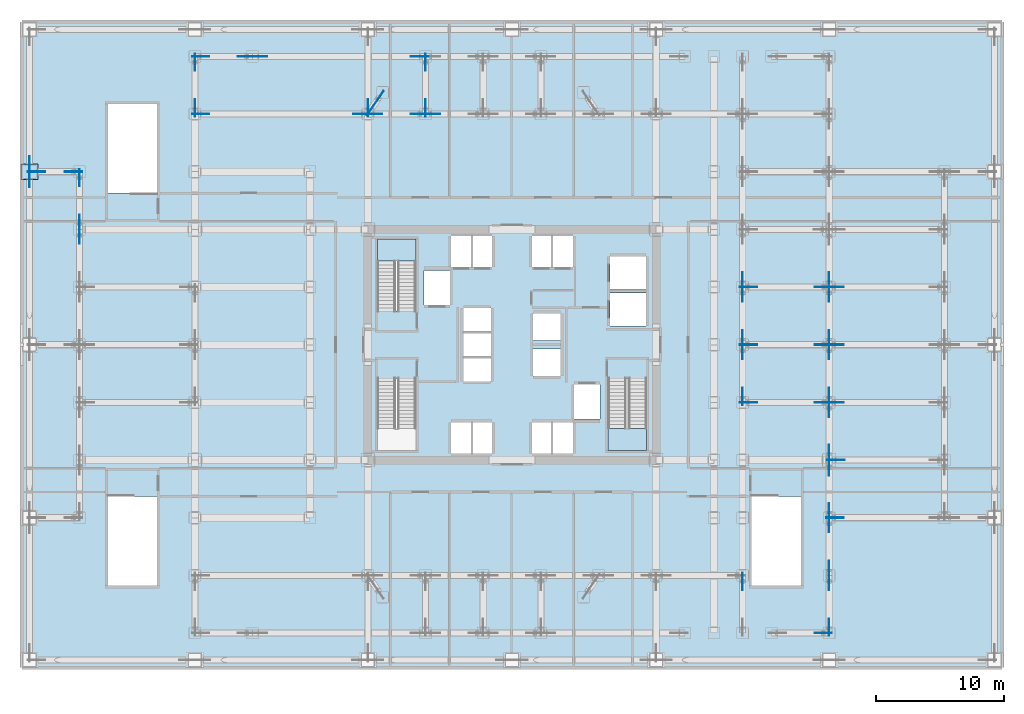
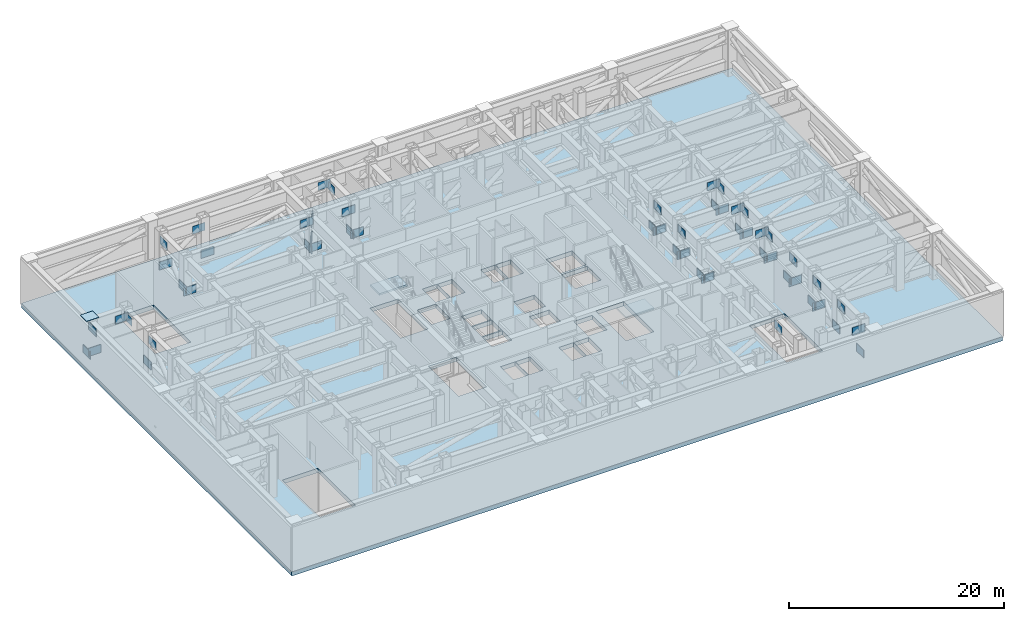
# One storey, part 7 of 17: 55 plates, 3 slabs, 2 elements without a shape of their own.
"""IFC4 building model written with IfcOpenShell, lengths in metres."""

from ifc_helpers import new_model, si_unit, direction, frame, origin, origin_2d, place, context, subcontext, project, spatial, polyline, rectangle, outline, extrude, source, transform, mapped, material, layer, layer_set, type_object, element, aggregate, save


model = new_model("IFC4")

# Units and contexts
model_context = context("Model", 3, precision=1e-05, world=origin(), true_north=direction((0.0, 1.0)))
body_context = subcontext(model_context, "Body", "Model", "MODEL_VIEW")
ifc_project = project(units=[si_unit("LENGTHUNIT", "METRE"), si_unit("AREAUNIT", "SQUARE_METRE"), si_unit("VOLUMEUNIT", "CUBIC_METRE"), si_unit("PLANEANGLEUNIT", "RADIAN"), si_unit("MASSUNIT", "GRAM", prefix="KILO")], contexts=[model_context])

# Site, building, storey
site_placement = place(None, origin())
site = spatial("IfcSite", under=ifc_project, at=site_placement, CompositionType="ELEMENT")
building_placement = place(site_placement, origin())
building = spatial("IfcBuilding", under=site, at=building_placement, Name="Nefas-Gora Pilgrimage Tower", CompositionType="ELEMENT")
storey_placement = place(building_placement, frame((0.0, 0.0, 27.60009765625)))
storey = spatial("IfcBuildingStorey", under=building, at=storey_placement, Name="L05", CompositionType="ELEMENT", Elevation=27.60009765625)

# Slab
ifc_material_1 = material(Name="Concrete C50/60", Category="concrete")
ifc_layer_1 = layer(ifc_material_1, 0.85009765625)
ifc_layer_set_1 = layer_set([ifc_layer_1], Name="Concrete C50/60")
slab_type_1 = type_object("IfcSlabType", Name="SLB-TRF-850", PredefinedType="FLOOR", material=ifc_layer_set_1)
slab_1_placement = place(storey_placement, frame((0.0, 0.0, -0.47998046875)))
element("IfcSlab", 1, at=slab_1_placement, inside=storey, type_object=slab_type_1, Name="L05 Structural Floor Slab", PredefinedType="FLOOR", context=body_context, shape_type="SweptSolid", body=[
    extrude(outline(polyline([(38.25, -25.199951171875), (38.25, 25.199951171875), (-38.25, 25.199951171875), (-38.25, -25.199951171875), (38.25, -25.199951171875)]), holes=[polyline([(-10.5, 2.639892578125), (-10.5, 8.25), (-7.5, 8.25), (-7.5, 2.639892578125), (-10.5, 2.639892578125)]), polyline([(10.5, -2.639892578125), (10.5, -8.25), (7.5, -8.25), (7.5, -2.639892578125), (10.5, -2.639892578125)]), polyline([(-7.5, -2.639892578125), (-7.5, -8.25), (-10.5, -8.25), (-10.5, -2.639892578125), (-7.5, -2.639892578125)]), polyline([(-31.5400390625, 11.840087890625), (-31.5400390625, 18.800048828125), (-27.699951171875, 18.800048828125), (-27.699951171875, 11.840087890625), (-31.5400390625, 11.840087890625)]), polyline([(-27.699951171875, -11.840087890625), (-27.699951171875, -18.800048828125), (-31.5400390625, -18.800048828125), (-31.5400390625, -11.840087890625), (-27.699951171875, -11.840087890625)]), polyline([(22.5400390625, -11.840087890625), (22.5400390625, -18.800048828125), (18.699951171875, -18.800048828125), (18.699951171875, -11.840087890625), (22.5400390625, -11.840087890625)]), polyline([(-6.85009765625, 5.800048828125), (-4.85009765625, 5.800048828125), (-4.85009765625, 3.10009765625), (-6.85009765625, 3.10009765625), (-6.85009765625, 5.800048828125)]), polyline([(4.85009765625, -3.10009765625), (6.85009765625, -3.10009765625), (6.85009765625, -5.800048828125), (4.85009765625, -5.800048828125), (4.85009765625, -3.10009765625)]), polyline([(7.64990234375, 4.050048828125), (10.449951171875, 4.050048828125), (10.449951171875, 1.449951171875), (7.64990234375, 1.449951171875), (7.64990234375, 4.050048828125)]), polyline([(7.64990234375, 6.89990234375), (10.449951171875, 6.89990234375), (10.449951171875, 4.300048828125), (7.64990234375, 4.300048828125), (7.64990234375, 6.89990234375)]), polyline([(-4.75, 8.5), (-3.14990234375, 8.5), (-3.14990234375, 6.050048828125), (-4.75, 6.050048828125), (-4.75, 8.5)]), polyline([(-3.10009765625, 8.5), (-1.550048828125, 8.5), (-1.550048828125, 6.050048828125), (-3.10009765625, 6.050048828125), (-3.10009765625, 8.5)]), polyline([(1.550048828125, 8.5), (3.10009765625, 8.5), (3.10009765625, 6.050048828125), (1.550048828125, 6.050048828125), (1.550048828125, 8.5)]), polyline([(3.14990234375, 8.5), (4.75, 8.5), (4.75, 6.050048828125), (3.14990234375, 6.050048828125), (3.14990234375, 8.5)]), polyline([(-4.75, -6.050048828125), (-3.14990234375, -6.050048828125), (-3.14990234375, -8.5), (-4.75, -8.5), (-4.75, -6.050048828125)]), polyline([(-3.10009765625, -6.050048828125), (-1.550048828125, -6.050048828125), (-1.550048828125, -8.5), (-3.10009765625, -8.5), (-3.10009765625, -6.050048828125)]), polyline([(1.550048828125, -6.050048828125), (3.10009765625, -6.050048828125), (3.10009765625, -8.5), (1.550048828125, -8.5), (1.550048828125, -6.050048828125)]), polyline([(3.14990234375, -6.050048828125), (4.75, -6.050048828125), (4.75, -8.5), (3.14990234375, -8.5), (3.14990234375, -6.050048828125)]), polyline([(-3.800048828125, -1.050048828125), (-1.64990234375, -1.050048828125), (-1.64990234375, -2.85009765625), (-3.800048828125, -2.85009765625), (-3.800048828125, -1.050048828125)]), polyline([(-3.800048828125, 0.89990234375), (-1.64990234375, 0.89990234375), (-1.64990234375, -0.89990234375), (-3.800048828125, -0.89990234375), (-3.800048828125, 0.89990234375)]), polyline([(-3.800048828125, 2.85009765625), (-1.64990234375, 2.85009765625), (-1.64990234375, 1.050048828125), (-3.800048828125, 1.050048828125), (-3.800048828125, 2.85009765625)]), polyline([(1.64990234375, -0.35009765625), (3.800048828125, -0.35009765625), (3.800048828125, -2.449951171875), (1.64990234375, -2.449951171875), (1.64990234375, -0.35009765625)]), polyline([(1.64990234375, 2.449951171875), (3.800048828125, 2.449951171875), (3.800048828125, 0.35009765625), (1.64990234375, 0.35009765625), (1.64990234375, 2.449951171875)])]), origin(), (0.0, 0.0, 1.0), 0.47998046875),
])

# Stair, slab
ifc_material_2 = material(Name="Concrete C45/55", Category="concrete")
stair_type = type_object("IfcStairType", Name="STR-1400-R1800", PredefinedType="HALF_TURN_STAIR", material=ifc_material_2)
stair_1_placement = place(storey_placement, origin())
stair_1 = element("IfcStair", 2, at=stair_1_placement, inside=storey, type_object=stair_type, Name="L05 Pressurised Tower Exit Stair ST-01", PredefinedType="HALF_TURN_STAIR")
ifc_material_3 = material(Name="Concrete C40/50", Category="concrete")
ifc_layer_2 = layer(ifc_material_3, 0.199951171875)
ifc_layer_set_2 = layer_set([ifc_layer_2], Name="Concrete C40/50")
slab_type_2 = type_object("IfcSlabType", Name="STR-LAND-200", PredefinedType="LANDING", material=ifc_layer_set_2)
slab_2_placement = place(storey_placement, frame((0.0, 0.0, 2.5)))
slab_2 = element("IfcSlab", 3, at=slab_2_placement, type_object=slab_type_2, Name="ST-01 landing 1", PredefinedType="LANDING", context=body_context, shape_type="SweptSolid", body=[
    extrude(outline(polyline([(-7.5, 6.52001953125), (-7.5, 8.25), (-10.5, 8.25), (-10.5, 6.52001953125), (-7.5, 6.52001953125)])), origin(), (0.0, 0.0, 1.0), 0.199951171875),
])
aggregate(stair_1, [slab_2])

stair_2_placement = place(storey_placement, origin())
stair_2 = element("IfcStair", 4, at=stair_2_placement, inside=storey, type_object=stair_type, Name="L05 Pressurised Tower Exit Stair ST-02", PredefinedType="HALF_TURN_STAIR")
slab_3_placement = place(storey_placement, frame((0.0, 0.0, 2.5)))
slab_3 = element("IfcSlab", 5, at=slab_3_placement, type_object=slab_type_2, Name="ST-02 landing 1", PredefinedType="LANDING", context=body_context, shape_type="SweptSolid", body=[
    extrude(outline(polyline([(7.5, -6.52001953125), (7.5, -8.25), (10.5, -8.25), (10.5, -6.52001953125), (7.5, -6.52001953125)])), origin(), (0.0, 0.0, 1.0), 0.199951171875),
])
aggregate(stair_2, [slab_3])

# Plates
ifc_material_4 = material(Name="Steel S460", Category="steel")
ifc_layer_3 = layer(ifc_material_4, 0.0400390625)
ifc_layer_set_3 = layer_set([ifc_layer_3], Name="Steel S460")
plate_type_1 = type_object("IfcPlateType", Name="PLT-NODE-N03", PredefinedType="USERDEFINED", material=ifc_layer_set_3)
shared_shape_1 = source(origin(), body_context, "Body", "SweptSolid", [
    extrude(rectangle(XDim=1.35009765625, YDim=0.044921875, at=origin_2d()), origin(), (0.0, 0.0, 1.0), 0.89990234375),
])
plate_1_placement = place(storey_placement, frame((-37.64990234375, 12.9619140625, 3.808349609375), z_axis=(0.0, 0.0, 1.0), x_axis=(0.0, 1.0, 0.0)))
element("IfcPlate", 6, at=plate_1_placement, inside=storey, type_object=plate_type_1, Name="Structural Node Gusset Plate N03 (L05)", ObjectType="GUSSET_PLATE", PredefinedType="USERDEFINED", context=body_context, shape_type="MappedRepresentation", body=[
    mapped(shared_shape_1, transform((0.0, 0.0, 0.0), x_axis=(1.0, 0.0, 0.0), y_axis=(0.0, 1.0, 0.0), z_axis=(0.0, 0.0, 1.0), scale=1.0)),
])
ifc_layer_4 = layer(ifc_material_4, 0.0380859375)
ifc_layer_set_4 = layer_set([ifc_layer_4], Name="Steel S460")
plate_type_2 = type_object("IfcPlateType", Name="PLT-NODE-N02", PredefinedType="USERDEFINED", material=ifc_layer_set_4)
for number, where, z_axis, x_axis, name in (
    (7, (-37.64990234375, 14.0380859375, 0.572021484375), (0.0, 0.0, 1.0), (0.0, 1.0, 0.0), "Structural Node Gusset Plate N02 (L05)"),
    (8, (-37.112060546875, 13.5, 0.8896484375), (0.0, 0.0, 1.0), (1.0, 0.0, 0.0), "Structural Node Gusset Plate N02 (L05)"),
):
    element("IfcPlate", number, at=place(storey_placement, frame(where, z_axis=z_axis, x_axis=x_axis)), inside=storey, type_object=plate_type_2, Name=name, ObjectType="GUSSET_PLATE", PredefinedType="USERDEFINED", context=body_context, shape_type="MappedRepresentation", body=[
        mapped(shared_shape_1, transform((0.0, 0.0, 0.0), x_axis=(1.0, 0.0, 0.0), y_axis=(0.0, 1.0, 0.0), z_axis=(0.0, 0.0, 1.0), scale=1.0)),
    ])
for number, where, z_axis, x_axis, name in (
    (9, (-34.212890625, 13.5, 3.528564453125), (0.0, 0.0, 1.0), (1.0, 0.0, 0.0), "Structural Node Gusset Plate N03 (L05)"),
    (10, (-33.75, 8.537109375, 3.584716796875), (0.0, 0.0, 1.0), (0.0, 1.0, 0.0), "Structural Node Gusset Plate N03 (L05)"),
):
    element("IfcPlate", number, at=place(storey_placement, frame(where, z_axis=z_axis, x_axis=x_axis)), inside=storey, type_object=plate_type_1, Name=name, ObjectType="GUSSET_PLATE", PredefinedType="USERDEFINED", context=body_context, shape_type="MappedRepresentation", body=[
        mapped(shared_shape_1, transform((0.0, 0.0, 0.0), x_axis=(1.0, 0.0, 0.0), y_axis=(0.0, 1.0, 0.0), z_axis=(0.0, 0.0, 1.0), scale=1.0)),
    ])
plate_2_placement = place(storey_placement, frame((-33.75, 9.462890625, 0.76513671875), z_axis=(0.0, 0.0, 1.0), x_axis=(0.0, 1.0, 0.0)))
element("IfcPlate", 11, at=plate_2_placement, inside=storey, type_object=plate_type_2, Name="Structural Node Gusset Plate N02 (L05)", ObjectType="GUSSET_PLATE", PredefinedType="USERDEFINED", context=body_context, shape_type="MappedRepresentation", body=[
    mapped(shared_shape_1, transform((0.0, 0.0, 0.0), x_axis=(1.0, 0.0, 0.0), y_axis=(0.0, 1.0, 0.0), z_axis=(0.0, 0.0, 1.0), scale=1.0)),
])
plate_3_placement = place(storey_placement, frame((-33.75, 13.037109375, 3.584716796875), z_axis=(0.0, 0.0, 1.0), x_axis=(0.0, 1.0, 0.0)))
element("IfcPlate", 12, at=plate_3_placement, inside=storey, type_object=plate_type_1, Name="Structural Node Gusset Plate N03 (L05)", ObjectType="GUSSET_PLATE", PredefinedType="USERDEFINED", context=body_context, shape_type="MappedRepresentation", body=[
    mapped(shared_shape_1, transform((0.0, 0.0, 0.0), x_axis=(1.0, 0.0, 0.0), y_axis=(0.0, 1.0, 0.0), z_axis=(0.0, 0.0, 1.0), scale=1.0)),
])
plate_4_placement = place(storey_placement, frame((-24.75, 18.462890625, 0.76513671875), z_axis=(0.0, 0.0, 1.0), x_axis=(0.0, 1.0, 0.0)))
element("IfcPlate", 13, at=plate_4_placement, inside=storey, type_object=plate_type_2, Name="Structural Node Gusset Plate N02 (L05)", ObjectType="GUSSET_PLATE", PredefinedType="USERDEFINED", context=body_context, shape_type="MappedRepresentation", body=[
    mapped(shared_shape_1, transform((0.0, 0.0, 0.0), x_axis=(1.0, 0.0, 0.0), y_axis=(0.0, 1.0, 0.0), z_axis=(0.0, 0.0, 1.0), scale=1.0)),
])
plate_5_placement = place(storey_placement, frame((-24.75, 22.037109375, 3.584716796875), z_axis=(0.0, 0.0, 1.0), x_axis=(0.0, 1.0, 0.0)))
element("IfcPlate", 14, at=plate_5_placement, inside=storey, type_object=plate_type_1, Name="Structural Node Gusset Plate N03 (L05)", ObjectType="GUSSET_PLATE", PredefinedType="USERDEFINED", context=body_context, shape_type="MappedRepresentation", body=[
    mapped(shared_shape_1, transform((0.0, 0.0, 0.0), x_axis=(1.0, 0.0, 0.0), y_axis=(0.0, 1.0, 0.0), z_axis=(0.0, 0.0, 1.0), scale=1.0)),
])
plate_6_placement = place(storey_placement, frame((-24.287109375, 18.0, 0.521728515625), z_axis=(0.0, 0.0, 1.0), x_axis=(1.0, 0.0, 0.0)))
element("IfcPlate", 15, at=plate_6_placement, inside=storey, type_object=plate_type_2, Name="Structural Node Gusset Plate N02 (L05)", ObjectType="GUSSET_PLATE", PredefinedType="USERDEFINED", context=body_context, shape_type="MappedRepresentation", body=[
    mapped(shared_shape_1, transform((0.0, 0.0, 0.0), x_axis=(1.0, 0.0, 0.0), y_axis=(0.0, 1.0, 0.0), z_axis=(0.0, 0.0, 1.0), scale=1.0)),
])
plate_7_placement = place(storey_placement, frame((-11.712890625, 18.0, 3.828125), z_axis=(0.0, 0.0, 1.0), x_axis=(1.0, 0.0, 0.0)))
element("IfcPlate", 16, at=plate_7_placement, inside=storey, type_object=plate_type_1, Name="Structural Node Gusset Plate N03 (L05)", ObjectType="GUSSET_PLATE", PredefinedType="USERDEFINED", context=body_context, shape_type="MappedRepresentation", body=[
    mapped(shared_shape_1, transform((0.0, 0.0, 0.0), x_axis=(1.0, 0.0, 0.0), y_axis=(0.0, 1.0, 0.0), z_axis=(0.0, 0.0, 1.0), scale=1.0)),
])
plate_8_placement = place(storey_placement, frame((-24.287109375, 22.5, 0.76513671875), z_axis=(0.0, 0.0, 1.0), x_axis=(1.0, 0.0, 0.0)))
element("IfcPlate", 17, at=plate_8_placement, inside=storey, type_object=plate_type_2, Name="Structural Node Gusset Plate N02 (L05)", ObjectType="GUSSET_PLATE", PredefinedType="USERDEFINED", context=body_context, shape_type="MappedRepresentation", body=[
    mapped(shared_shape_1, transform((0.0, 0.0, 0.0), x_axis=(1.0, 0.0, 0.0), y_axis=(0.0, 1.0, 0.0), z_axis=(0.0, 0.0, 1.0), scale=1.0)),
])
plate_9_placement = place(storey_placement, frame((-20.712890625, 22.5, 3.584716796875), z_axis=(0.0, 0.0, 1.0), x_axis=(1.0, 0.0, 0.0)))
element("IfcPlate", 18, at=plate_9_placement, inside=storey, type_object=plate_type_1, Name="Structural Node Gusset Plate N03 (L05)", ObjectType="GUSSET_PLATE", PredefinedType="USERDEFINED", context=body_context, shape_type="MappedRepresentation", body=[
    mapped(shared_shape_1, transform((0.0, 0.0, 0.0), x_axis=(1.0, 0.0, 0.0), y_axis=(0.0, 1.0, 0.0), z_axis=(0.0, 0.0, 1.0), scale=1.0)),
])
plate_10_placement = place(storey_placement, frame((-19.787109375, 22.5, 0.521728515625), z_axis=(0.0, 0.0, 1.0), x_axis=(1.0, 0.0, 0.0)))
element("IfcPlate", 19, at=plate_10_placement, inside=storey, type_object=plate_type_2, Name="Structural Node Gusset Plate N02 (L05)", ObjectType="GUSSET_PLATE", PredefinedType="USERDEFINED", context=body_context, shape_type="MappedRepresentation", body=[
    mapped(shared_shape_1, transform((0.0, 0.0, 0.0), x_axis=(1.0, 0.0, 0.0), y_axis=(0.0, 1.0, 0.0), z_axis=(0.0, 0.0, 1.0), scale=1.0)),
])
plate_11_placement = place(storey_placement, frame((-7.212890625, 22.5, 3.828125), z_axis=(0.0, 0.0, 1.0), x_axis=(1.0, 0.0, 0.0)))
element("IfcPlate", 20, at=plate_11_placement, inside=storey, type_object=plate_type_1, Name="Structural Node Gusset Plate N03 (L05)", ObjectType="GUSSET_PLATE", PredefinedType="USERDEFINED", context=body_context, shape_type="MappedRepresentation", body=[
    mapped(shared_shape_1, transform((0.0, 0.0, 0.0), x_axis=(1.0, 0.0, 0.0), y_axis=(0.0, 1.0, 0.0), z_axis=(0.0, 0.0, 1.0), scale=1.0)),
])
for number, where, z_axis, x_axis, name in (
    (21, (-11.25, 18.462890625, 0.64892578125), (0.0, 0.0, 1.0), (0.0, 1.0, 0.0), "Structural Node Gusset Plate N02 (L05)"),
    (22, (-10.787109375, 18.0, 0.76513671875), (0.0, 0.0, 1.0), (1.0, 0.0, 0.0), "Structural Node Gusset Plate N02 (L05)"),
):
    element("IfcPlate", number, at=place(storey_placement, frame(where, z_axis=z_axis, x_axis=x_axis)), inside=storey, type_object=plate_type_2, Name=name, ObjectType="GUSSET_PLATE", PredefinedType="USERDEFINED", context=body_context, shape_type="MappedRepresentation", body=[
        mapped(shared_shape_1, transform((0.0, 0.0, 0.0), x_axis=(1.0, 0.0, 0.0), y_axis=(0.0, 1.0, 0.0), z_axis=(0.0, 0.0, 1.0), scale=1.0)),
    ])
plate_12_placement = place(storey_placement, frame((-7.212890625, 18.0, 3.584716796875), z_axis=(0.0, 0.0, 1.0), x_axis=(1.0, 0.0, 0.0)))
element("IfcPlate", 23, at=plate_12_placement, inside=storey, type_object=plate_type_1, Name="Structural Node Gusset Plate N03 (L05)", ObjectType="GUSSET_PLATE", PredefinedType="USERDEFINED", context=body_context, shape_type="MappedRepresentation", body=[
    mapped(shared_shape_1, transform((0.0, 0.0, 0.0), x_axis=(1.0, 0.0, 0.0), y_axis=(0.0, 1.0, 0.0), z_axis=(0.0, 0.0, 1.0), scale=1.0)),
])
plate_13_placement = place(storey_placement, frame((-6.75, 18.462890625, 0.76513671875), z_axis=(0.0, 0.0, 1.0), x_axis=(0.0, 1.0, 0.0)))
element("IfcPlate", 24, at=plate_13_placement, inside=storey, type_object=plate_type_2, Name="Structural Node Gusset Plate N02 (L05)", ObjectType="GUSSET_PLATE", PredefinedType="USERDEFINED", context=body_context, shape_type="MappedRepresentation", body=[
    mapped(shared_shape_1, transform((0.0, 0.0, 0.0), x_axis=(1.0, 0.0, 0.0), y_axis=(0.0, 1.0, 0.0), z_axis=(0.0, 0.0, 1.0), scale=1.0)),
])
plate_14_placement = place(storey_placement, frame((-6.75, 22.037109375, 3.584716796875), z_axis=(0.0, 0.0, 1.0), x_axis=(0.0, 1.0, 0.0)))
element("IfcPlate", 25, at=plate_14_placement, inside=storey, type_object=plate_type_1, Name="Structural Node Gusset Plate N03 (L05)", ObjectType="GUSSET_PLATE", PredefinedType="USERDEFINED", context=body_context, shape_type="MappedRepresentation", body=[
    mapped(shared_shape_1, transform((0.0, 0.0, 0.0), x_axis=(1.0, 0.0, 0.0), y_axis=(0.0, 1.0, 0.0), z_axis=(0.0, 0.0, 1.0), scale=1.0)),
])
plate_15_placement = place(storey_placement, frame((-6.287109375, 18.0, 0.76513671875), z_axis=(0.0, 0.0, 1.0), x_axis=(1.0, 0.0, 0.0)))
element("IfcPlate", 26, at=plate_15_placement, inside=storey, type_object=plate_type_2, Name="Structural Node Gusset Plate N02 (L05)", ObjectType="GUSSET_PLATE", PredefinedType="USERDEFINED", context=body_context, shape_type="MappedRepresentation", body=[
    mapped(shared_shape_1, transform((0.0, 0.0, 0.0), x_axis=(1.0, 0.0, 0.0), y_axis=(0.0, 1.0, 0.0), z_axis=(0.0, 0.0, 1.0), scale=1.0)),
])
plate_16_placement = place(storey_placement, frame((18.0, -18.462890625, 3.584716796875), z_axis=(0.0, 0.0, 1.0), x_axis=(0.0, 1.0, 0.0)))
element("IfcPlate", 27, at=plate_16_placement, inside=storey, type_object=plate_type_1, Name="Structural Node Gusset Plate N03 (L05)", ObjectType="GUSSET_PLATE", PredefinedType="USERDEFINED", context=body_context, shape_type="MappedRepresentation", body=[
    mapped(shared_shape_1, transform((0.0, 0.0, 0.0), x_axis=(1.0, 0.0, 0.0), y_axis=(0.0, 1.0, 0.0), z_axis=(0.0, 0.0, 1.0), scale=1.0)),
])
plate_17_placement = place(storey_placement, frame((18.0, -4.037109375, 0.76513671875), z_axis=(0.0, 0.0, 1.0), x_axis=(0.0, 1.0, 0.0)))
element("IfcPlate", 28, at=plate_17_placement, inside=storey, type_object=plate_type_2, Name="Structural Node Gusset Plate N02 (L05)", ObjectType="GUSSET_PLATE", PredefinedType="USERDEFINED", context=body_context, shape_type="MappedRepresentation", body=[
    mapped(shared_shape_1, transform((0.0, 0.0, 0.0), x_axis=(1.0, 0.0, 0.0), y_axis=(0.0, 1.0, 0.0), z_axis=(0.0, 0.0, 1.0), scale=1.0)),
])
plate_18_placement = place(storey_placement, frame((18.0, -0.462890625, 3.584716796875), z_axis=(0.0, 0.0, 1.0), x_axis=(0.0, 1.0, 0.0)))
element("IfcPlate", 29, at=plate_18_placement, inside=storey, type_object=plate_type_1, Name="Structural Node Gusset Plate N03 (L05)", ObjectType="GUSSET_PLATE", PredefinedType="USERDEFINED", context=body_context, shape_type="MappedRepresentation", body=[
    mapped(shared_shape_1, transform((0.0, 0.0, 0.0), x_axis=(1.0, 0.0, 0.0), y_axis=(0.0, 1.0, 0.0), z_axis=(0.0, 0.0, 1.0), scale=1.0)),
])
plate_19_placement = place(storey_placement, frame((18.462890625, -4.5, 0.6435546875), z_axis=(0.0, 0.0, 1.0), x_axis=(1.0, 0.0, 0.0)))
element("IfcPlate", 30, at=plate_19_placement, inside=storey, type_object=plate_type_2, Name="Structural Node Gusset Plate N02 (L05)", ObjectType="GUSSET_PLATE", PredefinedType="USERDEFINED", context=body_context, shape_type="MappedRepresentation", body=[
    mapped(shared_shape_1, transform((0.0, 0.0, 0.0), x_axis=(1.0, 0.0, 0.0), y_axis=(0.0, 1.0, 0.0), z_axis=(0.0, 0.0, 1.0), scale=1.0)),
])
plate_20_placement = place(storey_placement, frame((24.287109375, -4.5, 3.70654296875), z_axis=(0.0, 0.0, 1.0), x_axis=(1.0, 0.0, 0.0)))
element("IfcPlate", 31, at=plate_20_placement, inside=storey, type_object=plate_type_1, Name="Structural Node Gusset Plate N03 (L05)", ObjectType="GUSSET_PLATE", PredefinedType="USERDEFINED", context=body_context, shape_type="MappedRepresentation", body=[
    mapped(shared_shape_1, transform((0.0, 0.0, 0.0), x_axis=(1.0, 0.0, 0.0), y_axis=(0.0, 1.0, 0.0), z_axis=(0.0, 0.0, 1.0), scale=1.0)),
])
plate_21_placement = place(storey_placement, frame((18.0, 0.462890625, 0.76513671875), z_axis=(0.0, 0.0, 1.0), x_axis=(0.0, 1.0, 0.0)))
element("IfcPlate", 32, at=plate_21_placement, inside=storey, type_object=plate_type_2, Name="Structural Node Gusset Plate N02 (L05)", ObjectType="GUSSET_PLATE", PredefinedType="USERDEFINED", context=body_context, shape_type="MappedRepresentation", body=[
    mapped(shared_shape_1, transform((0.0, 0.0, 0.0), x_axis=(1.0, 0.0, 0.0), y_axis=(0.0, 1.0, 0.0), z_axis=(0.0, 0.0, 1.0), scale=1.0)),
])
plate_22_placement = place(storey_placement, frame((18.0, 4.037109375, 3.584716796875), z_axis=(0.0, 0.0, 1.0), x_axis=(0.0, 1.0, 0.0)))
element("IfcPlate", 33, at=plate_22_placement, inside=storey, type_object=plate_type_1, Name="Structural Node Gusset Plate N03 (L05)", ObjectType="GUSSET_PLATE", PredefinedType="USERDEFINED", context=body_context, shape_type="MappedRepresentation", body=[
    mapped(shared_shape_1, transform((0.0, 0.0, 0.0), x_axis=(1.0, 0.0, 0.0), y_axis=(0.0, 1.0, 0.0), z_axis=(0.0, 0.0, 1.0), scale=1.0)),
])
plate_23_placement = place(storey_placement, frame((18.462890625, 0.0, 0.6435546875), z_axis=(0.0, 0.0, 1.0), x_axis=(1.0, 0.0, 0.0)))
element("IfcPlate", 34, at=plate_23_placement, inside=storey, type_object=plate_type_2, Name="Structural Node Gusset Plate N02 (L05)", ObjectType="GUSSET_PLATE", PredefinedType="USERDEFINED", context=body_context, shape_type="MappedRepresentation", body=[
    mapped(shared_shape_1, transform((0.0, 0.0, 0.0), x_axis=(1.0, 0.0, 0.0), y_axis=(0.0, 1.0, 0.0), z_axis=(0.0, 0.0, 1.0), scale=1.0)),
])
plate_24_placement = place(storey_placement, frame((24.287109375, 0.0, 3.70654296875), z_axis=(0.0, 0.0, 1.0), x_axis=(1.0, 0.0, 0.0)))
element("IfcPlate", 35, at=plate_24_placement, inside=storey, type_object=plate_type_1, Name="Structural Node Gusset Plate N03 (L05)", ObjectType="GUSSET_PLATE", PredefinedType="USERDEFINED", context=body_context, shape_type="MappedRepresentation", body=[
    mapped(shared_shape_1, transform((0.0, 0.0, 0.0), x_axis=(1.0, 0.0, 0.0), y_axis=(0.0, 1.0, 0.0), z_axis=(0.0, 0.0, 1.0), scale=1.0)),
])
for number, where, z_axis, x_axis, name in (
    (36, (18.0, 4.962890625, 0.76513671875), (0.0, 0.0, 1.0), (0.0, 1.0, 0.0), "Structural Node Gusset Plate N02 (L05)"),
    (37, (18.462890625, 4.5, 0.6435546875), (0.0, 0.0, 1.0), (1.0, 0.0, 0.0), "Structural Node Gusset Plate N02 (L05)"),
):
    element("IfcPlate", number, at=place(storey_placement, frame(where, z_axis=z_axis, x_axis=x_axis)), inside=storey, type_object=plate_type_2, Name=name, ObjectType="GUSSET_PLATE", PredefinedType="USERDEFINED", context=body_context, shape_type="MappedRepresentation", body=[
        mapped(shared_shape_1, transform((0.0, 0.0, 0.0), x_axis=(1.0, 0.0, 0.0), y_axis=(0.0, 1.0, 0.0), z_axis=(0.0, 0.0, 1.0), scale=1.0)),
    ])
for number, where, z_axis, x_axis, name in (
    (38, (24.287109375, 4.5, 3.70654296875), (0.0, 0.0, 1.0), (1.0, 0.0, 0.0), "Structural Node Gusset Plate N03 (L05)"),
    (39, (24.287109375, -22.5, 3.584716796875), (0.0, 0.0, 1.0), (1.0, 0.0, 0.0), "Structural Node Gusset Plate N03 (L05)"),
):
    element("IfcPlate", number, at=place(storey_placement, frame(where, z_axis=z_axis, x_axis=x_axis)), inside=storey, type_object=plate_type_1, Name=name, ObjectType="GUSSET_PLATE", PredefinedType="USERDEFINED", context=body_context, shape_type="MappedRepresentation", body=[
        mapped(shared_shape_1, transform((0.0, 0.0, 0.0), x_axis=(1.0, 0.0, 0.0), y_axis=(0.0, 1.0, 0.0), z_axis=(0.0, 0.0, 1.0), scale=1.0)),
    ])
plate_25_placement = place(storey_placement, frame((24.75, -22.037109375, 0.76513671875), z_axis=(0.0, 0.0, 1.0), x_axis=(0.0, 1.0, 0.0)))
element("IfcPlate", 40, at=plate_25_placement, inside=storey, type_object=plate_type_2, Name="Structural Node Gusset Plate N02 (L05)", ObjectType="GUSSET_PLATE", PredefinedType="USERDEFINED", context=body_context, shape_type="MappedRepresentation", body=[
    mapped(shared_shape_1, transform((0.0, 0.0, 0.0), x_axis=(1.0, 0.0, 0.0), y_axis=(0.0, 1.0, 0.0), z_axis=(0.0, 0.0, 1.0), scale=1.0)),
])
plate_26_placement = place(storey_placement, frame((24.75, -18.462890625, 3.584716796875), z_axis=(0.0, 0.0, 1.0), x_axis=(0.0, 1.0, 0.0)))
element("IfcPlate", 41, at=plate_26_placement, inside=storey, type_object=plate_type_1, Name="Structural Node Gusset Plate N03 (L05)", ObjectType="GUSSET_PLATE", PredefinedType="USERDEFINED", context=body_context, shape_type="MappedRepresentation", body=[
    mapped(shared_shape_1, transform((0.0, 0.0, 0.0), x_axis=(1.0, 0.0, 0.0), y_axis=(0.0, 1.0, 0.0), z_axis=(0.0, 0.0, 1.0), scale=1.0)),
])
plate_27_placement = place(storey_placement, frame((24.75, -17.537109375, 0.76513671875), z_axis=(0.0, 0.0, 1.0), x_axis=(0.0, 1.0, 0.0)))
element("IfcPlate", 42, at=plate_27_placement, inside=storey, type_object=plate_type_2, Name="Structural Node Gusset Plate N02 (L05)", ObjectType="GUSSET_PLATE", PredefinedType="USERDEFINED", context=body_context, shape_type="MappedRepresentation", body=[
    mapped(shared_shape_1, transform((0.0, 0.0, 0.0), x_axis=(1.0, 0.0, 0.0), y_axis=(0.0, 1.0, 0.0), z_axis=(0.0, 0.0, 1.0), scale=1.0)),
])
plate_28_placement = place(storey_placement, frame((24.75, -13.962890625, 3.584716796875), z_axis=(0.0, 0.0, 1.0), x_axis=(0.0, 1.0, 0.0)))
element("IfcPlate", 43, at=plate_28_placement, inside=storey, type_object=plate_type_1, Name="Structural Node Gusset Plate N03 (L05)", ObjectType="GUSSET_PLATE", PredefinedType="USERDEFINED", context=body_context, shape_type="MappedRepresentation", body=[
    mapped(shared_shape_1, transform((0.0, 0.0, 0.0), x_axis=(1.0, 0.0, 0.0), y_axis=(0.0, 1.0, 0.0), z_axis=(0.0, 0.0, 1.0), scale=1.0)),
])
plate_29_placement = place(storey_placement, frame((24.75, -13.037109375, 0.76513671875), z_axis=(0.0, 0.0, 1.0), x_axis=(0.0, 1.0, 0.0)))
element("IfcPlate", 44, at=plate_29_placement, inside=storey, type_object=plate_type_2, Name="Structural Node Gusset Plate N02 (L05)", ObjectType="GUSSET_PLATE", PredefinedType="USERDEFINED", context=body_context, shape_type="MappedRepresentation", body=[
    mapped(shared_shape_1, transform((0.0, 0.0, 0.0), x_axis=(1.0, 0.0, 0.0), y_axis=(0.0, 1.0, 0.0), z_axis=(0.0, 0.0, 1.0), scale=1.0)),
])
plate_30_placement = place(storey_placement, frame((24.75, -9.5380859375, 3.525634765625), z_axis=(0.0, 0.0, 1.0), x_axis=(0.0, 1.0, 0.0)))
element("IfcPlate", 45, at=plate_30_placement, inside=storey, type_object=plate_type_1, Name="Structural Node Gusset Plate N03 (L05)", ObjectType="GUSSET_PLATE", PredefinedType="USERDEFINED", context=body_context, shape_type="MappedRepresentation", body=[
    mapped(shared_shape_1, transform((0.0, 0.0, 0.0), x_axis=(1.0, 0.0, 0.0), y_axis=(0.0, 1.0, 0.0), z_axis=(0.0, 0.0, 1.0), scale=1.0)),
])
for number, where, z_axis, x_axis, name in (
    (46, (25.212890625, -13.5, 0.58251953125), (0.0, 0.0, 1.0), (1.0, 0.0, 0.0), "Structural Node Gusset Plate N02 (L05)"),
    (47, (24.75, -8.4619140625, 0.824462890625), (0.0, 0.0, 1.0), (0.0, 1.0, 0.0), "Structural Node Gusset Plate N02 (L05)"),
):
    element("IfcPlate", number, at=place(storey_placement, frame(where, z_axis=z_axis, x_axis=x_axis)), inside=storey, type_object=plate_type_2, Name=name, ObjectType="GUSSET_PLATE", PredefinedType="USERDEFINED", context=body_context, shape_type="MappedRepresentation", body=[
        mapped(shared_shape_1, transform((0.0, 0.0, 0.0), x_axis=(1.0, 0.0, 0.0), y_axis=(0.0, 1.0, 0.0), z_axis=(0.0, 0.0, 1.0), scale=1.0)),
    ])
plate_31_placement = place(storey_placement, frame((24.75, -4.962890625, 3.584716796875), z_axis=(0.0, 0.0, 1.0), x_axis=(0.0, 1.0, 0.0)))
element("IfcPlate", 48, at=plate_31_placement, inside=storey, type_object=plate_type_1, Name="Structural Node Gusset Plate N03 (L05)", ObjectType="GUSSET_PLATE", PredefinedType="USERDEFINED", context=body_context, shape_type="MappedRepresentation", body=[
    mapped(shared_shape_1, transform((0.0, 0.0, 0.0), x_axis=(1.0, 0.0, 0.0), y_axis=(0.0, 1.0, 0.0), z_axis=(0.0, 0.0, 1.0), scale=1.0)),
])
for number, where, z_axis, x_axis, name in (
    (49, (25.2880859375, -9.0, 0.612060546875), (0.0, 0.0, 1.0), (1.0, 0.0, 0.0), "Structural Node Gusset Plate N02 (L05)"),
    (50, (24.75, -4.037109375, 0.76513671875), (0.0, 0.0, 1.0), (0.0, 1.0, 0.0), "Structural Node Gusset Plate N02 (L05)"),
):
    element("IfcPlate", number, at=place(storey_placement, frame(where, z_axis=z_axis, x_axis=x_axis)), inside=storey, type_object=plate_type_2, Name=name, ObjectType="GUSSET_PLATE", PredefinedType="USERDEFINED", context=body_context, shape_type="MappedRepresentation", body=[
        mapped(shared_shape_1, transform((0.0, 0.0, 0.0), x_axis=(1.0, 0.0, 0.0), y_axis=(0.0, 1.0, 0.0), z_axis=(0.0, 0.0, 1.0), scale=1.0)),
    ])
plate_32_placement = place(storey_placement, frame((24.75, -0.462890625, 3.584716796875), z_axis=(0.0, 0.0, 1.0), x_axis=(0.0, 1.0, 0.0)))
element("IfcPlate", 51, at=plate_32_placement, inside=storey, type_object=plate_type_1, Name="Structural Node Gusset Plate N03 (L05)", ObjectType="GUSSET_PLATE", PredefinedType="USERDEFINED", context=body_context, shape_type="MappedRepresentation", body=[
    mapped(shared_shape_1, transform((0.0, 0.0, 0.0), x_axis=(1.0, 0.0, 0.0), y_axis=(0.0, 1.0, 0.0), z_axis=(0.0, 0.0, 1.0), scale=1.0)),
])
for number, where, z_axis, x_axis, name in (
    (52, (25.212890625, -4.5, 0.58251953125), (0.0, 0.0, 1.0), (1.0, 0.0, 0.0), "Structural Node Gusset Plate N02 (L05)"),
    (53, (24.75, 0.462890625, 0.76513671875), (0.0, 0.0, 1.0), (0.0, 1.0, 0.0), "Structural Node Gusset Plate N02 (L05)"),
):
    element("IfcPlate", number, at=place(storey_placement, frame(where, z_axis=z_axis, x_axis=x_axis)), inside=storey, type_object=plate_type_2, Name=name, ObjectType="GUSSET_PLATE", PredefinedType="USERDEFINED", context=body_context, shape_type="MappedRepresentation", body=[
        mapped(shared_shape_1, transform((0.0, 0.0, 0.0), x_axis=(1.0, 0.0, 0.0), y_axis=(0.0, 1.0, 0.0), z_axis=(0.0, 0.0, 1.0), scale=1.0)),
    ])
plate_33_placement = place(storey_placement, frame((24.75, 4.037109375, 3.584716796875), z_axis=(0.0, 0.0, 1.0), x_axis=(0.0, 1.0, 0.0)))
element("IfcPlate", 54, at=plate_33_placement, inside=storey, type_object=plate_type_1, Name="Structural Node Gusset Plate N03 (L05)", ObjectType="GUSSET_PLATE", PredefinedType="USERDEFINED", context=body_context, shape_type="MappedRepresentation", body=[
    mapped(shared_shape_1, transform((0.0, 0.0, 0.0), x_axis=(1.0, 0.0, 0.0), y_axis=(0.0, 1.0, 0.0), z_axis=(0.0, 0.0, 1.0), scale=1.0)),
])
for number, where, z_axis, x_axis, name in (
    (55, (25.212890625, 0.0, 0.58251953125), (0.0, 0.0, 1.0), (1.0, 0.0, 0.0), "Structural Node Gusset Plate N02 (L05)"),
    (56, (24.75, 4.962890625, 0.76513671875), (0.0, 0.0, 1.0), (0.0, 1.0, 0.0), "Structural Node Gusset Plate N02 (L05)"),
    (57, (25.212890625, 4.5, 0.58251953125), (0.0, 0.0, 1.0), (1.0, 0.0, 0.0), "Structural Node Gusset Plate N02 (L05)"),
    (58, (-10.93359375, 18.462890625, 1.369140625), (0.0, 0.0, 1.0), (0.56424674103, 0.825606210755, 0.0), "Structural Node Gusset Plate N02 (L05)"),
):
    element("IfcPlate", number, at=place(storey_placement, frame(where, z_axis=z_axis, x_axis=x_axis)), inside=storey, type_object=plate_type_2, Name=name, ObjectType="GUSSET_PLATE", PredefinedType="USERDEFINED", context=body_context, shape_type="MappedRepresentation", body=[
        mapped(shared_shape_1, transform((0.0, 0.0, 0.0), x_axis=(1.0, 0.0, 0.0), y_axis=(0.0, 1.0, 0.0), z_axis=(0.0, 0.0, 1.0), scale=1.0)),
    ])
plate_34_placement = place(storey_placement, frame((-10.407470703125, 19.23291015625, 2.98095703125), z_axis=(0.0, 0.0, 1.0), x_axis=(0.56424674103, 0.825606210755, 0.0)))
element("IfcPlate", 59, at=plate_34_placement, inside=storey, type_object=plate_type_1, Name="Structural Node Gusset Plate N03 (L05)", ObjectType="GUSSET_PLATE", PredefinedType="USERDEFINED", context=body_context, shape_type="MappedRepresentation", body=[
    mapped(shared_shape_1, transform((0.0, 0.0, 0.0), x_axis=(1.0, 0.0, 0.0), y_axis=(0.0, 1.0, 0.0), z_axis=(0.0, 0.0, 1.0), scale=1.0)),
])
ifc_layer_5 = layer(ifc_material_4, 0.0400390625)
ifc_layer_set_5 = layer_set([ifc_layer_5], Name="Steel S460")
plate_type_3 = type_object("IfcPlateType", Name="PLT-ENDCAP-40", PredefinedType="SHEET", material=ifc_layer_set_5)
shared_shape_2 = source(origin(), body_context, "Body", "SweptSolid", [
    extrude(rectangle(XDim=1.342041015625, YDim=1.179931640625, at=origin_2d()), origin(), (0.0, 0.0, 1.0), 0.050048828125),
])
plate_35_placement = place(storey_placement, frame((-37.64990234375, 13.5, 5.375), z_axis=(0.0, 0.0, 1.0), x_axis=(1.0, 0.0, 0.0)))
element("IfcPlate", 60, at=plate_35_placement, inside=storey, type_object=plate_type_3, Name="L05 Setback Hollow Column Top Cap Plate 4", PredefinedType="SHEET", context=body_context, shape_type="MappedRepresentation", body=[
    mapped(shared_shape_2, transform((0.0, 0.0, 0.0), x_axis=(1.0, 0.0, 0.0), y_axis=(0.0, 1.0, 0.0), z_axis=(0.0, 0.0, 1.0), scale=1.0)),
])

save(model, "model.ifc")
